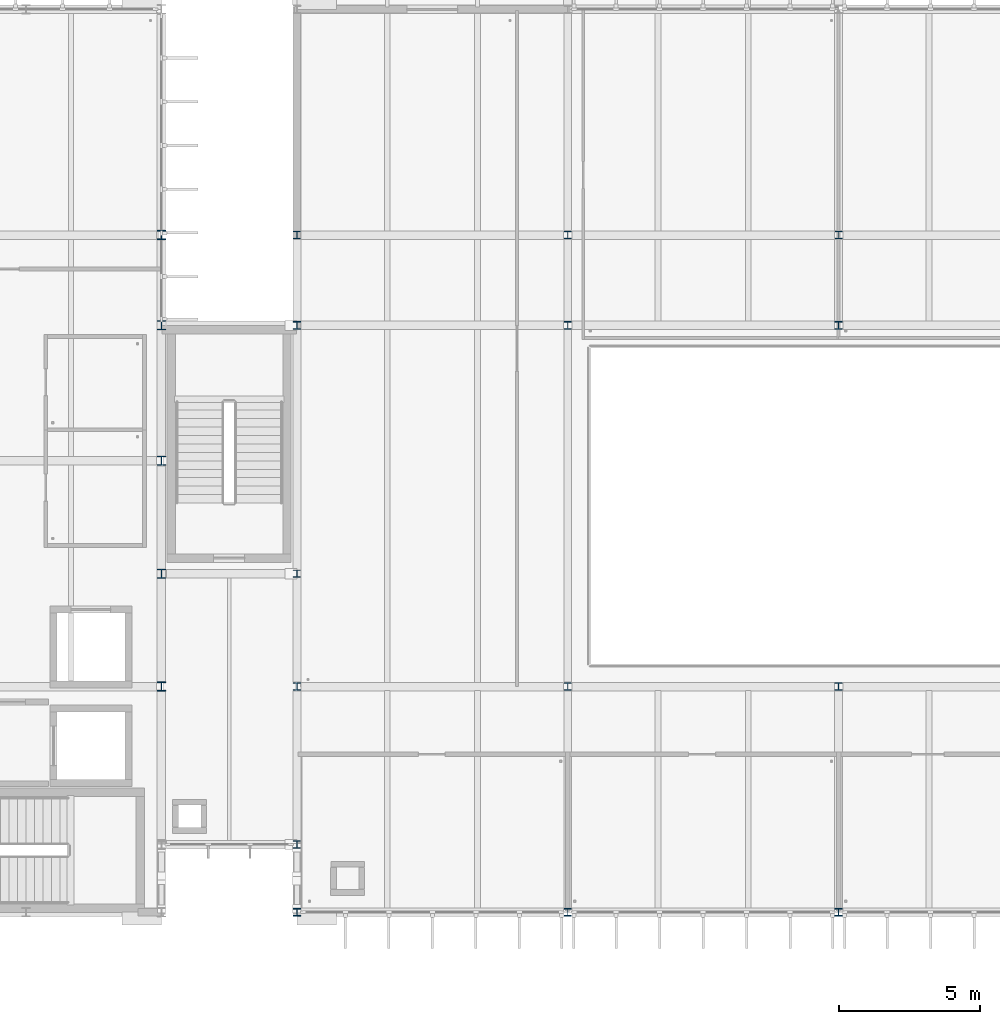
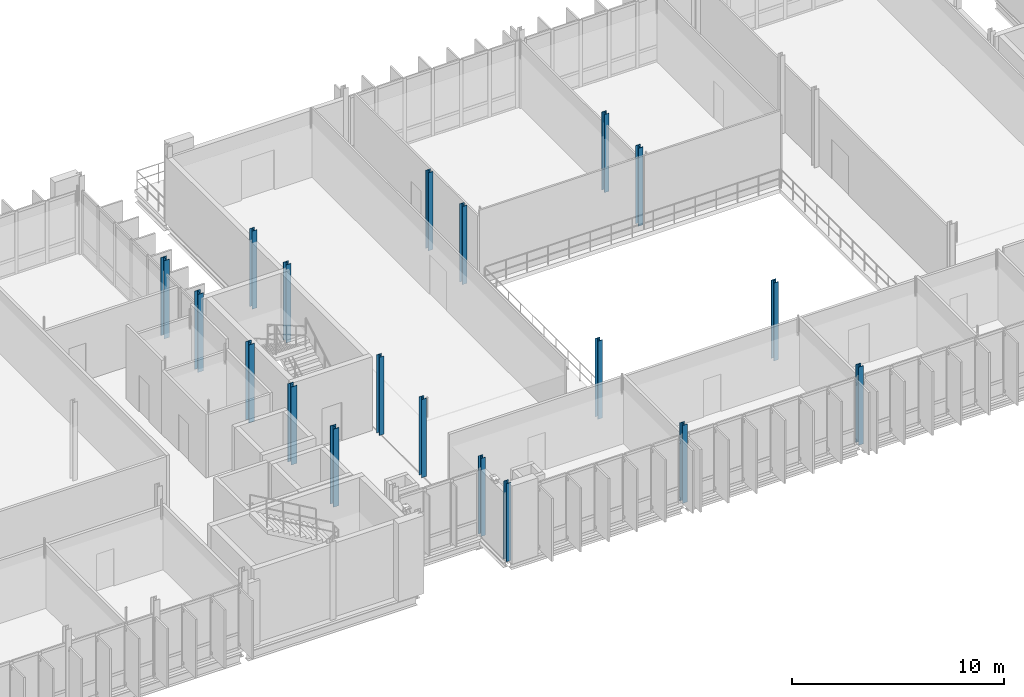
# One storey, part 2 of 93: 19 columns.
"""IFC4 building model written with IfcOpenShell, lengths in metres."""

from ifc_helpers import new_model, si_unit, direction, frame, origin, origin_2d, place, context, subcontext, project, spatial, i_section, extrude, material, material_profile, profile_set, type_object, element, save


model = new_model("IFC4")

# Units and contexts
model_context = context("Model", 3, precision=1e-05, world=origin(), true_north=direction((0.0, 1.0)))
body_context = subcontext(model_context, "Body", "Model", "MODEL_VIEW")
ifc_project = project(units=[si_unit("LENGTHUNIT", "METRE"), si_unit("AREAUNIT", "SQUARE_METRE"), si_unit("VOLUMEUNIT", "CUBIC_METRE"), si_unit("PLANEANGLEUNIT", "RADIAN"), si_unit("MASSUNIT", "GRAM", prefix="KILO")], contexts=[model_context])

# Site, building, storey
site_placement = place(None, origin())
site = spatial("IfcSite", under=ifc_project, at=site_placement, CompositionType="ELEMENT")
building_placement = place(site_placement, origin())
building = spatial("IfcBuilding", under=site, at=building_placement, Name="Dunescarp Central Library", CompositionType="ELEMENT")
storey_placement = place(building_placement, frame((0.0, 0.0, 14.10009765625)))
storey = spatial("IfcBuildingStorey", under=building, at=storey_placement, Name="L03", CompositionType="ELEMENT", Elevation=14.10009765625)

# Columns
ifc_material = material(Name="Steel S355JR", Category="steel")
ifc_material_profile_1 = material_profile(ifc_material, i_section(OverallWidth=0.26123046875, OverallDepth=0.2763671875, WebThickness=0.015380859375, FlangeThickness=0.025390625, at=origin_2d()), Name="UC 254x254x132")
ifc_profile_set_1 = profile_set([ifc_material_profile_1], Name="Steel S355JR")
column_type_1 = type_object("IfcColumnType", Name="STR-COL-UC254X132", PredefinedType="COLUMN", material=ifc_profile_set_1)
for number, where, z_axis, x_axis, name in (
    (1, (38.39990234375, 4.800048828125, 0.0), (0.0, 0.0, 1.0), (1.0, 0.0, 0.0), "L03 column V2-384-48"),
    (2, (38.39990234375, 12.800048828125, 0.0), (0.0, 0.0, 1.0), (1.0, 0.0, 0.0), "L03 column V2-384-128"),
    (3, (38.39990234375, 25.60009765625, 0.0), (0.0, 0.0, 1.0), (1.0, 0.0, 0.0), "L03 column V2-384-256"),
    (4, (48.0, 4.800048828125, 0.0), (0.0, 0.0, 1.0), (1.0, 0.0, 0.0), "L03 column V2-480-48"),
    (5, (48.0, 12.800048828125, 0.0), (0.0, 0.0, 1.0), (1.0, 0.0, 0.0), "L03 column V2-480-128"),
    (6, (48.0, 25.60009765625, 0.0), (0.0, 0.0, 1.0), (1.0, 0.0, 0.0), "L03 column V2-480-256"),
    (7, (57.60009765625, 4.800048828125, 0.0), (0.0, 0.0, 1.0), (1.0, 0.0, 0.0), "L03 column V2-576-48"),
    (8, (57.60009765625, 12.800048828125, 0.0), (0.0, 0.0, 1.0), (1.0, 0.0, 0.0), "L03 column V2-576-128"),
    (9, (57.60009765625, 25.60009765625, 0.0), (0.0, 0.0, 1.0), (1.0, 0.0, 0.0), "L03 column V2-576-256"),
):
    element("IfcColumn", number, at=place(storey_placement, frame(where, z_axis=z_axis, x_axis=x_axis)), inside=storey, type_object=column_type_1, Name=name, PredefinedType="COLUMN", context=body_context, shape_type="SweptSolid", body=[
        extrude(i_section(OverallWidth=0.26123046875, OverallDepth=0.2763671875, WebThickness=0.015380859375, FlangeThickness=0.025390625, at=origin_2d()), origin(), (0.0, 0.0, 1.0), 4.5),
    ])
ifc_material_profile_2 = material_profile(ifc_material, i_section(OverallWidth=0.25634765625, OverallDepth=0.26025390625, WebThickness=0.01025390625, FlangeThickness=0.017333984375, at=origin_2d()), Name="UC 254x254x89")
ifc_profile_set_2 = profile_set([ifc_material_profile_2], Name="Steel S355JR")
column_type_2 = type_object("IfcColumnType", Name="STR-COL-UC254X89", PredefinedType="COLUMN", material=ifc_profile_set_2)
for number, where, z_axis, x_axis, name in (
    (10, (38.39990234375, 28.800048828125, 0.0), (0.0, 0.0, 1.0), (1.0, 0.0, 0.0), "L03 column V2N5-384"),
    (11, (48.0, 28.800048828125, 0.0), (0.0, 0.0, 1.0), (1.0, 0.0, 0.0), "L03 column V2N5-480"),
    (12, (57.60009765625, 28.800048828125, 0.0), (0.0, 0.0, 1.0), (1.0, 0.0, 0.0), "L03 column V2N5-576"),
    (13, (38.39990234375, 7.199951171875, 0.0), (0.0, 0.0, 1.0), (1.0, 0.0, 0.0), "L03 column V2L-384-72"),
    (14, (38.39990234375, 16.800048828125, 0.0), (0.0, 0.0, 1.0), (1.0, 0.0, 0.0), "L03 column V2L-384-168"),
):
    element("IfcColumn", number, at=place(storey_placement, frame(where, z_axis=z_axis, x_axis=x_axis)), inside=storey, type_object=column_type_2, Name=name, PredefinedType="COLUMN", context=body_context, shape_type="SweptSolid", body=[
        extrude(i_section(OverallWidth=0.25634765625, OverallDepth=0.26025390625, WebThickness=0.01025390625, FlangeThickness=0.017333984375, at=origin_2d()), origin(), (0.0, 0.0, 1.0), 4.5),
    ])
ifc_material_profile_3 = material_profile(ifc_material, i_section(OverallWidth=0.311279296875, OverallDepth=0.3271484375, WebThickness=0.015869140625, FlangeThickness=0.02490234375, at=origin_2d()), Name="UC 305x305x158")
ifc_profile_set_3 = profile_set([ifc_material_profile_3], Name="Steel S355JR")
column_type_3 = type_object("IfcColumnType", Name="STR-COL-UC305X158", PredefinedType="COLUMN", material=ifc_profile_set_3)
for number, where, z_axis, x_axis, name in (
    (15, (33.60009765625, 12.800048828125, 0.0), (0.0, 0.0, 1.0), (1.0, 0.0, 0.0), "L03 column V1P-336-128"),
    (16, (33.60009765625, 16.800048828125, 0.0), (0.0, 0.0, 1.0), (1.0, 0.0, 0.0), "L03 column V1P-336-168"),
    (17, (33.60009765625, 20.800048828125, 0.0), (0.0, 0.0, 1.0), (1.0, 0.0, 0.0), "L03 column V1P-336-208"),
    (18, (33.60009765625, 25.60009765625, 0.0), (0.0, 0.0, 1.0), (1.0, 0.0, 0.0), "L03 column V1P-336-256"),
    (19, (33.60009765625, 28.800048828125, 0.0), (0.0, 0.0, 1.0), (1.0, 0.0, 0.0), "L03 column V1P-336-288"),
):
    element("IfcColumn", number, at=place(storey_placement, frame(where, z_axis=z_axis, x_axis=x_axis)), inside=storey, type_object=column_type_3, Name=name, PredefinedType="COLUMN", context=body_context, shape_type="SweptSolid", body=[
        extrude(i_section(OverallWidth=0.311279296875, OverallDepth=0.3271484375, WebThickness=0.015869140625, FlangeThickness=0.02490234375, at=origin_2d()), origin(), (0.0, 0.0, 1.0), 4.5),
    ])

save(model, "model.ifc")
